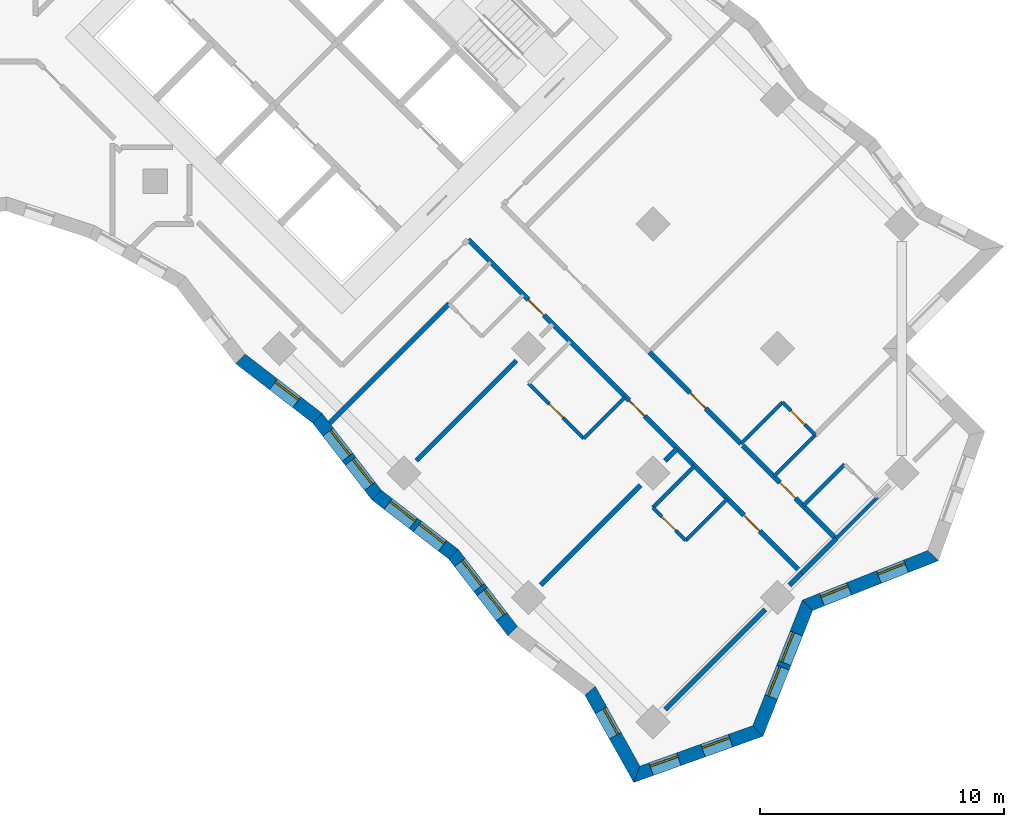
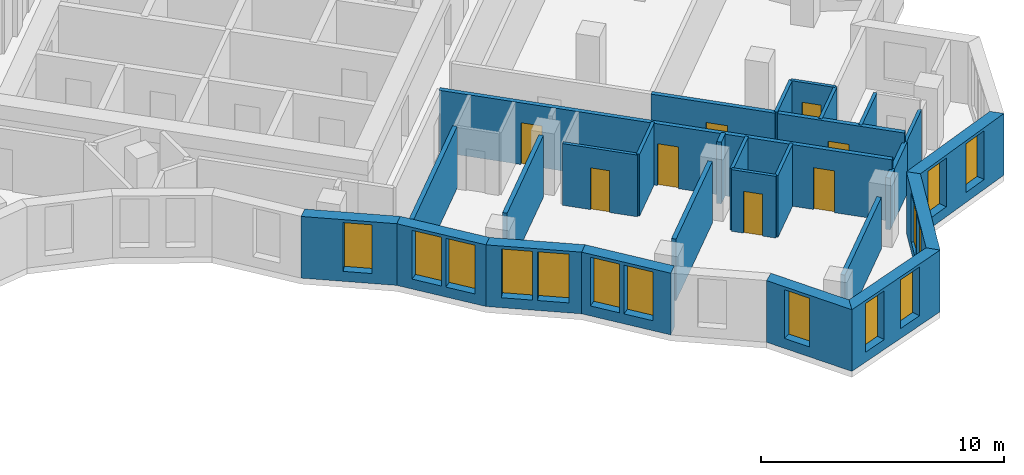
# One storey, part 8 of 13: 28 walls, 14 windows, 8 doors, 22 openings.
"""IFC4 building model written with IfcOpenShell, lengths in metres."""

from ifc_helpers import new_model, si_unit, direction, frame, frame_2d, origin, place, context, subcontext, project, spatial, polyline, rectangle, outline, extrude, material, layer, layer_set, type_object, element, fill, save


model = new_model("IFC4")

# Units and contexts
model_context = context("Model", 3, precision=1e-05, world=origin(), true_north=direction((0.0, 1.0)))
body_context = subcontext(model_context, "Body", "Model", "MODEL_VIEW")
ifc_project = project(units=[si_unit("LENGTHUNIT", "METRE"), si_unit("AREAUNIT", "SQUARE_METRE"), si_unit("VOLUMEUNIT", "CUBIC_METRE"), si_unit("PLANEANGLEUNIT", "RADIAN"), si_unit("MASSUNIT", "GRAM", prefix="KILO")], contexts=[model_context])

# Site, building, storey
site_placement = place(None, origin())
site = spatial("IfcSite", under=ifc_project, at=site_placement, CompositionType="ELEMENT")
building_placement = place(site_placement, origin())
building = spatial("IfcBuilding", under=site, at=building_placement, Name="Windrow Commons", CompositionType="ELEMENT")
storey_placement = place(building_placement, frame((0.0, 0.0, 105.0)))
storey = spatial("IfcBuildingStorey", under=building, at=storey_placement, Name="L28", CompositionType="ELEMENT", Elevation=105.0)

# Wall, openings, windows
ifc_material_1 = material(Name="Brick masonry, red clay brick", Category="masonry")
ifc_layer_1 = layer(ifc_material_1, 0.55)
ifc_layer_set_1 = layer_set([ifc_layer_1], Name="Brick facade wall 550")
wall_type_1 = type_object("IfcWallType", Name="Brick facade wall 550", PredefinedType="SOLIDWALL", material=ifc_layer_set_1)
wall_1_placement = place(storey_placement, frame((98.9047, 18.9423, 0.0), z_axis=(0.0, 0.0, 1.0), x_axis=(0.941452059, 0.337146883, 0.0)))
wall_1 = element("IfcWall", 1, at=wall_1_placement, inside=storey, type_object=wall_type_1, Name="Brick facade wall L28 1", PredefinedType="SOLIDWALL", context=body_context, shape_type="SweptSolid", body=[
    extrude(outline(polyline([(-0.2327, -0.275), (5.3839, -0.275), (5.1349, 0.275), (0.2327, 0.275), (-0.2327, -0.275)])), origin(), (0.0, 0.0, 1.0), 3.1),
])
opening_1_placement = place(wall_1_placement, frame((0.6229, 0.0, 0.5)))
opening_1 = element("IfcOpeningElement", 2, at=opening_1_placement, cuts=wall_1, Name="Opening W7D", PredefinedType="OPENING", context=body_context, shape_type="SweptSolid", body=[
    extrude(rectangle(XDim=1.2, YDim=2.45, at=frame_2d((0.6, 1.225))), frame((0.0, 0.285, 0.0), z_axis=(0.0, -1.0, 0.0), x_axis=(1.0, 0.0, 0.0)), (0.0, 0.0, 1.0), 0.57),
])
opening_2_placement = place(wall_1_placement, frame((2.874, 0.0, 0.5)))
opening_2 = element("IfcOpeningElement", 3, at=opening_2_placement, cuts=wall_1, Name="Opening W7D", PredefinedType="OPENING", context=body_context, shape_type="SweptSolid", body=[
    extrude(rectangle(XDim=1.2, YDim=2.45, at=frame_2d((0.6, 1.225))), frame((0.0, 0.285, 0.0), z_axis=(0.0, -1.0, 0.0), x_axis=(1.0, 0.0, 0.0)), (0.0, 0.0, 1.0), 0.57),
])
ifc_material_2 = material(Name="Clear float glass in anodised aluminium frame", Category="aluminium")
window_type_1 = type_object("IfcWindowType", Name="Window W7 notch 1200x2450", PartitioningType="SINGLE_PANEL", PredefinedType="WINDOW", material=ifc_material_2)
window_1_placement = place(opening_1_placement, origin())
window_1 = element("IfcWindow", 4, at=window_1_placement, inside=storey, type_object=window_type_1, Name="Window L28 1.1", OverallHeight=2.45, OverallWidth=1.2, PartitioningType="SINGLE_PANEL", PredefinedType="WINDOW", context=body_context, shape_type="SweptSolid", body=[
    extrude(rectangle(XDim=1.2, YDim=2.45, at=frame_2d((0.6, 1.225))), frame((0.0, 0.155, 0.0), z_axis=(0.0, -1.0, 0.0), x_axis=(1.0, 0.0, 0.0)), (0.0, 0.0, 1.0), 0.06),
])
fill(opening_1, window_1)
window_2_placement = place(opening_2_placement, origin())
window_2 = element("IfcWindow", 5, at=window_2_placement, inside=storey, type_object=window_type_1, Name="Window L28 1.2", OverallHeight=2.45, OverallWidth=1.2, PartitioningType="SINGLE_PANEL", PredefinedType="WINDOW", context=body_context, shape_type="SweptSolid", body=[
    extrude(rectangle(XDim=1.2, YDim=2.45, at=frame_2d((0.6, 1.225))), frame((0.0, 0.155, 0.0), z_axis=(0.0, -1.0, 0.0), x_axis=(1.0, 0.0, 0.0)), (0.0, 0.0, 1.0), 0.06),
])
fill(opening_2, window_2)

wall_2_placement = place(storey_placement, frame((103.8562, 20.7155, 0.0), z_axis=(0.0, 0.0, 1.0), x_axis=(0.3677360094, 0.9299302272, 0.0)))
wall_2 = element("IfcWall", 6, at=wall_2_placement, inside=storey, type_object=wall_type_1, Name="Brick facade wall L28 2", PredefinedType="SOLIDWALL", context=body_context, shape_type="SweptSolid", body=[
    extrude(outline(polyline([(-0.1245, -0.275), (5.4096, -0.275), (5.6478, 0.275), (0.1245, 0.275), (-0.1245, -0.275)])), origin(), (0.0, 0.0, 1.0), 3.1),
])
opening_3_placement = place(wall_2_placement, frame((1.4867, 0.0, 0.5)))
opening_3 = element("IfcOpeningElement", 7, at=opening_3_placement, cuts=wall_2, Name="Opening W1P", PredefinedType="OPENING", context=body_context, shape_type="SweptSolid", body=[
    extrude(rectangle(XDim=1.3, YDim=2.45, at=frame_2d((0.65, 1.225))), frame((0.0, 0.285, 0.0), z_axis=(0.0, -1.0, 0.0), x_axis=(1.0, 0.0, 0.0)), (0.0, 0.0, 1.0), 0.57),
])
opening_4_placement = place(wall_2_placement, frame((2.9867, 0.0, 0.5)))
opening_4 = element("IfcOpeningElement", 8, at=opening_4_placement, cuts=wall_2, Name="Opening W1P", PredefinedType="OPENING", context=body_context, shape_type="SweptSolid", body=[
    extrude(rectangle(XDim=1.3, YDim=2.45, at=frame_2d((0.65, 1.225))), frame((0.0, 0.285, 0.0), z_axis=(0.0, -1.0, 0.0), x_axis=(1.0, 0.0, 0.0)), (0.0, 0.0, 1.0), 0.57),
])
ifc_material_3 = material(Name="Clear float glass in anodised aluminium frame", Category="aluminium")
window_type_2 = type_object("IfcWindowType", Name="Window W1P pair 1300x2450", PartitioningType="SINGLE_PANEL", PredefinedType="WINDOW", material=ifc_material_3)
window_3_placement = place(opening_3_placement, origin())
window_3 = element("IfcWindow", 9, at=window_3_placement, inside=storey, type_object=window_type_2, Name="Window L28 2.1A", OverallHeight=2.45, OverallWidth=1.3, PartitioningType="SINGLE_PANEL", PredefinedType="WINDOW", context=body_context, shape_type="SweptSolid", body=[
    extrude(rectangle(XDim=1.3, YDim=2.45, at=frame_2d((0.65, 1.225))), frame((0.0, 0.155, 0.0), z_axis=(0.0, -1.0, 0.0), x_axis=(1.0, 0.0, 0.0)), (0.0, 0.0, 1.0), 0.06),
])
fill(opening_3, window_3)
window_4_placement = place(opening_4_placement, origin())
window_4 = element("IfcWindow", 10, at=window_4_placement, inside=storey, type_object=window_type_2, Name="Window L28 2.1B", OverallHeight=2.45, OverallWidth=1.3, PartitioningType="SINGLE_PANEL", PredefinedType="WINDOW", context=body_context, shape_type="SweptSolid", body=[
    extrude(rectangle(XDim=1.3, YDim=2.45, at=frame_2d((0.65, 1.225))), frame((0.0, 0.155, 0.0), z_axis=(0.0, -1.0, 0.0), x_axis=(1.0, 0.0, 0.0)), (0.0, 0.0, 1.0), 0.06),
])
fill(opening_4, window_4)

wall_3_placement = place(storey_placement, frame((105.8893, 25.8568, 0.0), z_axis=(0.0, 0.0, 1.0), x_axis=(0.9299302272, 0.3677360094, 0.0)))
wall_3 = element("IfcWall", 11, at=wall_3_placement, inside=storey, type_object=wall_type_1, Name="Brick facade wall L28 3", PredefinedType="SOLIDWALL", context=body_context, shape_type="SweptSolid", body=[
    extrude(outline(polyline([(0.1191, -0.275), (5.6532, -0.275), (5.4042, 0.275), (-0.1191, 0.275), (0.1191, -0.275)])), origin(), (0.0, 0.0, 1.0), 3.1),
])
opening_5_placement = place(wall_3_placement, frame((0.6349, 0.0, 0.5)))
opening_5 = element("IfcOpeningElement", 12, at=opening_5_placement, cuts=wall_3, Name="Opening W7D", PredefinedType="OPENING", context=body_context, shape_type="SweptSolid", body=[
    extrude(rectangle(XDim=1.2, YDim=2.45, at=frame_2d((0.6, 1.225))), frame((0.0, 0.285, 0.0), z_axis=(0.0, -1.0, 0.0), x_axis=(1.0, 0.0, 0.0)), (0.0, 0.0, 1.0), 0.57),
])
opening_6_placement = place(wall_3_placement, frame((3.137, 0.0, 0.5)))
opening_6 = element("IfcOpeningElement", 13, at=opening_6_placement, cuts=wall_3, Name="Opening W7D", PredefinedType="OPENING", context=body_context, shape_type="SweptSolid", body=[
    extrude(rectangle(XDim=1.2, YDim=2.45, at=frame_2d((0.6, 1.225))), frame((0.0, 0.285, 0.0), z_axis=(0.0, -1.0, 0.0), x_axis=(1.0, 0.0, 0.0)), (0.0, 0.0, 1.0), 0.57),
])
window_5_placement = place(opening_5_placement, origin())
window_5 = element("IfcWindow", 14, at=window_5_placement, inside=storey, type_object=window_type_1, Name="Window L28 3.1", OverallHeight=2.45, OverallWidth=1.2, PartitioningType="SINGLE_PANEL", PredefinedType="WINDOW", context=body_context, shape_type="SweptSolid", body=[
    extrude(rectangle(XDim=1.2, YDim=2.45, at=frame_2d((0.6, 1.225))), frame((0.0, 0.155, 0.0), z_axis=(0.0, -1.0, 0.0), x_axis=(1.0, 0.0, 0.0)), (0.0, 0.0, 1.0), 0.06),
])
fill(opening_5, window_5)
window_6_placement = place(opening_6_placement, origin())
window_6 = element("IfcWindow", 15, at=window_6_placement, inside=storey, type_object=window_type_1, Name="Window L28 3.2", OverallHeight=2.45, OverallWidth=1.2, PartitioningType="SINGLE_PANEL", PredefinedType="WINDOW", context=body_context, shape_type="SweptSolid", body=[
    extrude(rectangle(XDim=1.2, YDim=2.45, at=frame_2d((0.6, 1.225))), frame((0.0, 0.155, 0.0), z_axis=(0.0, -1.0, 0.0), x_axis=(1.0, 0.0, 0.0)), (0.0, 0.0, 1.0), 0.06),
])
fill(opening_6, window_6)

# Wall, opening, window
wall_4_placement = place(storey_placement, frame((82.6864, 35.9376, 0.0), z_axis=(0.0, 0.0, 1.0), x_axis=(0.7923534452, -0.6100623066, 0.0)))
wall_4 = element("IfcWall", 16, at=wall_4_placement, inside=storey, type_object=wall_type_1, Name="Brick facade wall L28 54", PredefinedType="SOLIDWALL", context=body_context, shape_type="SweptSolid", body=[
    extrude(outline(polyline([(-0.0357, -0.275), (3.9365, -0.275), (4.008, 0.275), (0.0357, 0.275), (-0.0357, -0.275)])), origin(), (0.0, 0.0, 1.0), 3.1),
])
opening_7_placement = place(wall_4_placement, frame((1.707, 0.0, 0.5)))
opening_7 = element("IfcOpeningElement", 17, at=opening_7_placement, cuts=wall_4, Name="Opening W7D", PredefinedType="OPENING", context=body_context, shape_type="SweptSolid", body=[
    extrude(rectangle(XDim=1.2, YDim=2.45, at=frame_2d((0.6, 1.225))), frame((0.0, 0.285, 0.0), z_axis=(0.0, -1.0, 0.0), x_axis=(1.0, 0.0, 0.0)), (0.0, 0.0, 1.0), 0.57),
])
window_7_placement = place(opening_7_placement, origin())
window_7 = element("IfcWindow", 18, at=window_7_placement, inside=storey, type_object=window_type_1, Name="Window L28 54.1", OverallHeight=2.45, OverallWidth=1.2, PartitioningType="SINGLE_PANEL", PredefinedType="WINDOW", context=body_context, shape_type="SweptSolid", body=[
    extrude(rectangle(XDim=1.2, YDim=2.45, at=frame_2d((0.6, 1.225))), frame((0.0, 0.155, 0.0), z_axis=(0.0, -1.0, 0.0), x_axis=(1.0, 0.0, 0.0)), (0.0, 0.0, 1.0), 0.06),
])
fill(opening_7, window_7)

# Wall, openings, windows
wall_5_placement = place(storey_placement, frame((85.8338, 33.5143, 0.0), z_axis=(0.0, 0.0, 1.0), x_axis=(0.6100781116, -0.7923412761, 0.0)))
wall_5 = element("IfcWall", 19, at=wall_5_placement, inside=storey, type_object=wall_type_1, Name="Brick facade wall L28 55", PredefinedType="SOLIDWALL", context=body_context, shape_type="SweptSolid", body=[
    extrude(outline(polyline([(0.0357, -0.275), (4.008, -0.275), (3.9365, 0.275), (-0.0357, 0.275), (0.0357, -0.275)])), origin(), (0.0, 0.0, 1.0), 3.1),
])
opening_8_placement = place(wall_5_placement, frame((0.7182, 0.0, 0.5)))
opening_8 = element("IfcOpeningElement", 20, at=opening_8_placement, cuts=wall_5, Name="Opening W1P", PredefinedType="OPENING", context=body_context, shape_type="SweptSolid", body=[
    extrude(rectangle(XDim=1.3, YDim=2.45, at=frame_2d((0.65, 1.225))), frame((0.0, 0.285, 0.0), z_axis=(0.0, -1.0, 0.0), x_axis=(1.0, 0.0, 0.0)), (0.0, 0.0, 1.0), 0.57),
])
opening_9_placement = place(wall_5_placement, frame((2.2182, 0.0, 0.5)))
opening_9 = element("IfcOpeningElement", 21, at=opening_9_placement, cuts=wall_5, Name="Opening W1P", PredefinedType="OPENING", context=body_context, shape_type="SweptSolid", body=[
    extrude(rectangle(XDim=1.3, YDim=2.45, at=frame_2d((0.65, 1.225))), frame((0.0, 0.285, 0.0), z_axis=(0.0, -1.0, 0.0), x_axis=(1.0, 0.0, 0.0)), (0.0, 0.0, 1.0), 0.57),
])
window_8_placement = place(opening_8_placement, origin())
window_8 = element("IfcWindow", 22, at=window_8_placement, inside=storey, type_object=window_type_2, Name="Window L28 55.1A", OverallHeight=2.45, OverallWidth=1.3, PartitioningType="SINGLE_PANEL", PredefinedType="WINDOW", context=body_context, shape_type="SweptSolid", body=[
    extrude(rectangle(XDim=1.3, YDim=2.45, at=frame_2d((0.65, 1.225))), frame((0.0, 0.155, 0.0), z_axis=(0.0, -1.0, 0.0), x_axis=(1.0, 0.0, 0.0)), (0.0, 0.0, 1.0), 0.06),
])
fill(opening_8, window_8)
window_9_placement = place(opening_9_placement, origin())
window_9 = element("IfcWindow", 23, at=window_9_placement, inside=storey, type_object=window_type_2, Name="Window L28 55.1B", OverallHeight=2.45, OverallWidth=1.3, PartitioningType="SINGLE_PANEL", PredefinedType="WINDOW", context=body_context, shape_type="SweptSolid", body=[
    extrude(rectangle(XDim=1.3, YDim=2.45, at=frame_2d((0.65, 1.225))), frame((0.0, 0.155, 0.0), z_axis=(0.0, -1.0, 0.0), x_axis=(1.0, 0.0, 0.0)), (0.0, 0.0, 1.0), 0.06),
])
fill(opening_9, window_9)

wall_6_placement = place(storey_placement, frame((88.2572, 30.3669, 0.0), z_axis=(0.0, 0.0, 1.0), x_axis=(0.7923412761, -0.6100781116, 0.0)))
wall_6 = element("IfcWall", 24, at=wall_6_placement, inside=storey, type_object=wall_type_1, Name="Brick facade wall L28 56", PredefinedType="SOLIDWALL", context=body_context, shape_type="SweptSolid", body=[
    extrude(outline(polyline([(-0.0357, -0.275), (3.9365, -0.275), (4.008, 0.275), (0.0357, 0.275), (-0.0357, -0.275)])), origin(), (0.0, 0.0, 1.0), 3.1),
])
opening_10_placement = place(wall_6_placement, frame((0.604, 0.0, 0.5)))
opening_10 = element("IfcOpeningElement", 25, at=opening_10_placement, cuts=wall_6, Name="Opening W1P", PredefinedType="OPENING", context=body_context, shape_type="SweptSolid", body=[
    extrude(rectangle(XDim=1.3, YDim=2.45, at=frame_2d((0.65, 1.225))), frame((0.0, 0.285, 0.0), z_axis=(0.0, -1.0, 0.0), x_axis=(1.0, 0.0, 0.0)), (0.0, 0.0, 1.0), 0.57),
])
opening_11_placement = place(wall_6_placement, frame((2.104, 0.0, 0.5)))
opening_11 = element("IfcOpeningElement", 26, at=opening_11_placement, cuts=wall_6, Name="Opening W1P", PredefinedType="OPENING", context=body_context, shape_type="SweptSolid", body=[
    extrude(rectangle(XDim=1.3, YDim=2.45, at=frame_2d((0.65, 1.225))), frame((0.0, 0.285, 0.0), z_axis=(0.0, -1.0, 0.0), x_axis=(1.0, 0.0, 0.0)), (0.0, 0.0, 1.0), 0.57),
])
window_10_placement = place(opening_10_placement, origin())
window_10 = element("IfcWindow", 27, at=window_10_placement, inside=storey, type_object=window_type_2, Name="Window L28 56.1A", OverallHeight=2.45, OverallWidth=1.3, PartitioningType="SINGLE_PANEL", PredefinedType="WINDOW", context=body_context, shape_type="SweptSolid", body=[
    extrude(rectangle(XDim=1.3, YDim=2.45, at=frame_2d((0.65, 1.225))), frame((0.0, 0.155, 0.0), z_axis=(0.0, -1.0, 0.0), x_axis=(1.0, 0.0, 0.0)), (0.0, 0.0, 1.0), 0.06),
])
fill(opening_10, window_10)
window_11_placement = place(opening_11_placement, origin())
window_11 = element("IfcWindow", 28, at=window_11_placement, inside=storey, type_object=window_type_2, Name="Window L28 56.1B", OverallHeight=2.45, OverallWidth=1.3, PartitioningType="SINGLE_PANEL", PredefinedType="WINDOW", context=body_context, shape_type="SweptSolid", body=[
    extrude(rectangle(XDim=1.3, YDim=2.45, at=frame_2d((0.65, 1.225))), frame((0.0, 0.155, 0.0), z_axis=(0.0, -1.0, 0.0), x_axis=(1.0, 0.0, 0.0)), (0.0, 0.0, 1.0), 0.06),
])
fill(opening_11, window_11)

wall_7_placement = place(storey_placement, frame((91.4046, 27.9435, 0.0), z_axis=(0.0, 0.0, 1.0), x_axis=(0.6100781116, -0.7923412761, 0.0)))
wall_7 = element("IfcWall", 29, at=wall_7_placement, inside=storey, type_object=wall_type_1, Name="Brick facade wall L28 57", PredefinedType="SOLIDWALL", context=body_context, shape_type="SweptSolid", body=[
    extrude(outline(polyline([(0.0357, -0.275), (4.008, -0.275), (3.9365, 0.275), (-0.0357, 0.275), (0.0357, -0.275)])), origin(), (0.0, 0.0, 1.0), 3.1),
])
opening_12_placement = place(wall_7_placement, frame((0.4231, 0.0, 0.5)))
opening_12 = element("IfcOpeningElement", 30, at=opening_12_placement, cuts=wall_7, Name="Opening W1P", PredefinedType="OPENING", context=body_context, shape_type="SweptSolid", body=[
    extrude(rectangle(XDim=1.3, YDim=2.45, at=frame_2d((0.65, 1.225))), frame((0.0, 0.285, 0.0), z_axis=(0.0, -1.0, 0.0), x_axis=(1.0, 0.0, 0.0)), (0.0, 0.0, 1.0), 0.57),
])
opening_13_placement = place(wall_7_placement, frame((1.9231, 0.0, 0.5)))
opening_13 = element("IfcOpeningElement", 31, at=opening_13_placement, cuts=wall_7, Name="Opening W1P", PredefinedType="OPENING", context=body_context, shape_type="SweptSolid", body=[
    extrude(rectangle(XDim=1.3, YDim=2.45, at=frame_2d((0.65, 1.225))), frame((0.0, 0.285, 0.0), z_axis=(0.0, -1.0, 0.0), x_axis=(1.0, 0.0, 0.0)), (0.0, 0.0, 1.0), 0.57),
])
window_12_placement = place(opening_12_placement, origin())
window_12 = element("IfcWindow", 32, at=window_12_placement, inside=storey, type_object=window_type_2, Name="Window L28 57.1A", OverallHeight=2.45, OverallWidth=1.3, PartitioningType="SINGLE_PANEL", PredefinedType="WINDOW", context=body_context, shape_type="SweptSolid", body=[
    extrude(rectangle(XDim=1.3, YDim=2.45, at=frame_2d((0.65, 1.225))), frame((0.0, 0.155, 0.0), z_axis=(0.0, -1.0, 0.0), x_axis=(1.0, 0.0, 0.0)), (0.0, 0.0, 1.0), 0.06),
])
fill(opening_12, window_12)
window_13_placement = place(opening_13_placement, origin())
window_13 = element("IfcWindow", 33, at=window_13_placement, inside=storey, type_object=window_type_2, Name="Window L28 57.1B", OverallHeight=2.45, OverallWidth=1.3, PartitioningType="SINGLE_PANEL", PredefinedType="WINDOW", context=body_context, shape_type="SweptSolid", body=[
    extrude(rectangle(XDim=1.3, YDim=2.45, at=frame_2d((0.65, 1.225))), frame((0.0, 0.155, 0.0), z_axis=(0.0, -1.0, 0.0), x_axis=(1.0, 0.0, 0.0)), (0.0, 0.0, 1.0), 0.06),
])
fill(opening_13, window_13)

# Wall, opening, window
wall_8_placement = place(storey_placement, frame((96.9917, 22.3602, 0.0), z_axis=(0.0, 0.0, 1.0), x_axis=(0.4884043341, -0.8726174456, 0.0)))
wall_8 = element("IfcWall", 34, at=wall_8_placement, inside=storey, type_object=wall_type_1, Name="Brick facade wall L28 59", PredefinedType="SOLIDWALL", context=body_context, shape_type="SweptSolid", body=[
    extrude(outline(polyline([(0.0564, -0.275), (4.1494, -0.275), (3.6841, 0.275), (-0.0564, 0.275), (0.0564, -0.275)])), origin(), (0.0, 0.0, 1.0), 3.1),
])
opening_14_placement = place(wall_8_placement, frame((0.9125, 0.0, 0.5)))
opening_14 = element("IfcOpeningElement", 35, at=opening_14_placement, cuts=wall_8, Name="Opening W7D", PredefinedType="OPENING", context=body_context, shape_type="SweptSolid", body=[
    extrude(rectangle(XDim=1.2, YDim=2.45, at=frame_2d((0.6, 1.225))), frame((0.0, 0.285, 0.0), z_axis=(0.0, -1.0, 0.0), x_axis=(1.0, 0.0, 0.0)), (0.0, 0.0, 1.0), 0.57),
])
window_14_placement = place(opening_14_placement, origin())
window_14 = element("IfcWindow", 36, at=window_14_placement, inside=storey, type_object=window_type_1, Name="Window L28 59.1", OverallHeight=2.45, OverallWidth=1.2, PartitioningType="SINGLE_PANEL", PredefinedType="WINDOW", context=body_context, shape_type="SweptSolid", body=[
    extrude(rectangle(XDim=1.2, YDim=2.45, at=frame_2d((0.6, 1.225))), frame((0.0, 0.155, 0.0), z_axis=(0.0, -1.0, 0.0), x_axis=(1.0, 0.0, 0.0)), (0.0, 0.0, 1.0), 0.06),
])
fill(opening_14, window_14)

# Wall, openings, doors
ifc_material_4 = material(Name="Blockwork partition", Category="masonry")
ifc_layer_2 = layer(ifc_material_4, 0.2)
ifc_layer_set_2 = layer_set([ifc_layer_2], Name="IW-CORRIDOR-200")
wall_type_2 = type_object("IfcWallType", Name="IW-CORRIDOR-200", PredefinedType="PARTITIONING", material=ifc_layer_set_2)
wall_9_placement = place(storey_placement, frame((92.0035, 40.8195, 0.0), z_axis=(0.0, 0.0, 1.0), x_axis=(0.7071067812, -0.7071067812, 0.0)))
wall_9 = element("IfcWall", 37, at=wall_9_placement, inside=storey, type_object=wall_type_2, Name="W-L28-W002", PredefinedType="PARTITIONING", context=body_context, shape_type="SweptSolid", body=[
    extrude(rectangle(XDim=19.2984, YDim=0.2, at=frame_2d((9.6492, 0.0))), origin(), (0.0, 0.0, 1.0), 3.1),
])
opening_15_placement = place(wall_9_placement, frame((3.4886, 0.0, 0.0)))
opening_15 = element("IfcOpeningElement", 38, at=opening_15_placement, cuts=wall_9, Name="Opening D109S", PredefinedType="OPENING", context=body_context, shape_type="SweptSolid", body=[
    extrude(rectangle(XDim=0.9, YDim=2.1, at=frame_2d((0.45, 1.05))), frame((0.0, 0.11, 0.0), z_axis=(0.0, -1.0, 0.0), x_axis=(1.0, 0.0, 0.0)), (0.0, 0.0, 1.0), 0.22),
])
opening_16_placement = place(wall_9_placement, frame((9.3186, 0.0, 0.0)))
opening_16 = element("IfcOpeningElement", 39, at=opening_16_placement, cuts=wall_9, Name="Opening D109F", PredefinedType="OPENING", context=body_context, shape_type="SweptSolid", body=[
    extrude(rectangle(XDim=0.9, YDim=2.1, at=frame_2d((0.45, 1.05))), frame((0.0, 0.11, 0.0), z_axis=(0.0, -1.0, 0.0), x_axis=(1.0, 0.0, 0.0)), (0.0, 0.0, 1.0), 0.22),
])
opening_17_placement = place(wall_9_placement, frame((15.9611, 0.0, 0.0)))
opening_17 = element("IfcOpeningElement", 40, at=opening_17_placement, cuts=wall_9, Name="Opening D109F", PredefinedType="OPENING", context=body_context, shape_type="SweptSolid", body=[
    extrude(rectangle(XDim=0.9, YDim=2.1, at=frame_2d((0.45, 1.05))), frame((0.0, 0.11, 0.0), z_axis=(0.0, -1.0, 0.0), x_axis=(1.0, 0.0, 0.0)), (0.0, 0.0, 1.0), 0.22),
])
ifc_material_5 = material(Name="Timber door leaf", Category="wood")
door_type_1 = type_object("IfcDoorType", Name="DT-BEDROOM-900", OperationType="SINGLE_SWING_LEFT", PredefinedType="DOOR", material=ifc_material_5)
door_1_placement = place(opening_15_placement, origin())
door_1 = element("IfcDoor", 41, at=door_1_placement, inside=storey, type_object=door_type_1, Name="D-L28-D047", OperationType="SINGLE_SWING_LEFT", OverallHeight=2.1, OverallWidth=0.9, PredefinedType="DOOR", context=body_context, shape_type="SweptSolid", body=[
    extrude(rectangle(XDim=0.9, YDim=2.1, at=frame_2d((0.45, 1.05))), frame((0.0, 0.025, 0.0), z_axis=(0.0, -1.0, 0.0), x_axis=(1.0, 0.0, 0.0)), (0.0, 0.0, 1.0), 0.05),
])
fill(opening_15, door_1)
door_2_placement = place(opening_16_placement, origin())
door_2 = element("IfcDoor", 42, at=door_2_placement, inside=storey, type_object=door_type_1, Name="D-L28-D049", OperationType="SINGLE_SWING_RIGHT", OverallHeight=2.1, OverallWidth=0.9, PredefinedType="DOOR", context=body_context, shape_type="SweptSolid", body=[
    extrude(rectangle(XDim=0.9, YDim=2.1, at=frame_2d((0.45, 1.05))), frame((0.0, 0.025, 0.0), z_axis=(0.0, -1.0, 0.0), x_axis=(1.0, 0.0, 0.0)), (0.0, 0.0, 1.0), 0.05),
])
fill(opening_16, door_2)
door_3_placement = place(opening_17_placement, origin())
door_3 = element("IfcDoor", 43, at=door_3_placement, inside=storey, type_object=door_type_1, Name="D-L28-D051", OperationType="SINGLE_SWING_RIGHT", OverallHeight=2.1, OverallWidth=0.9, PredefinedType="DOOR", context=body_context, shape_type="SweptSolid", body=[
    extrude(rectangle(XDim=0.9, YDim=2.1, at=frame_2d((0.45, 1.05))), frame((0.0, 0.025, 0.0), z_axis=(0.0, -1.0, 0.0), x_axis=(1.0, 0.0, 0.0)), (0.0, 0.0, 1.0), 0.05),
])
fill(opening_17, door_3)

# Wall, opening, door
wall_10_placement = place(storey_placement, frame((103.2386, 32.3986, 0.0), z_axis=(0.0, 0.0, 1.0), x_axis=(0.7071067812, -0.7071067812, 0.0)))
wall_10 = element("IfcWall", 44, at=wall_10_placement, inside=storey, type_object=wall_type_2, Name="W-L28-W035", PredefinedType="PARTITIONING", context=body_context, shape_type="SweptSolid", body=[
    extrude(rectangle(XDim=5.3995, YDim=0.2, at=frame_2d((2.6997, 0.0))), origin(), (0.0, 0.0, 1.0), 3.1),
])
opening_18_placement = place(wall_10_placement, frame((2.1497, 0.0, 0.0)))
opening_18 = element("IfcOpeningElement", 45, at=opening_18_placement, cuts=wall_10, Name="Opening D109S", PredefinedType="OPENING", context=body_context, shape_type="SweptSolid", body=[
    extrude(rectangle(XDim=0.9, YDim=2.1, at=frame_2d((0.45, 1.05))), frame((0.0, 0.11, 0.0), z_axis=(0.0, -1.0, 0.0), x_axis=(1.0, 0.0, 0.0)), (0.0, 0.0, 1.0), 0.22),
])
door_4_placement = place(opening_18_placement, origin())
door_4 = element("IfcDoor", 46, at=door_4_placement, inside=storey, type_object=door_type_1, Name="D-L28-D053", OperationType="SINGLE_SWING_RIGHT", OverallHeight=2.1, OverallWidth=0.9, PredefinedType="DOOR", context=body_context, shape_type="SweptSolid", body=[
    extrude(rectangle(XDim=0.9, YDim=2.1, at=frame_2d((0.45, 1.05))), frame((0.0, 0.025, 0.0), z_axis=(0.0, -1.0, 0.0), x_axis=(1.0, 0.0, 0.0)), (0.0, 0.0, 1.0), 0.05),
])
fill(opening_18, door_4)

wall_11_placement = place(storey_placement, frame((103.1676, 32.4696, 0.0), z_axis=(0.0, 0.0, 1.0), x_axis=(-0.7067858967, 0.7074275201, 0.0)))
wall_11 = element("IfcWall", 47, at=wall_11_placement, inside=storey, type_object=wall_type_2, Name="W-L28-W036", PredefinedType="PARTITIONING", context=body_context, shape_type="SweptSolid", body=[
    extrude(rectangle(XDim=5.2991, YDim=0.2, at=frame_2d((2.6496, 0.0))), origin(), (0.0, 0.0, 1.0), 3.1),
])
opening_19_placement = place(wall_11_placement, frame((2.0433, 0.0, 0.0)))
opening_19 = element("IfcOpeningElement", 48, at=opening_19_placement, cuts=wall_11, Name="Opening D109F", PredefinedType="OPENING", context=body_context, shape_type="SweptSolid", body=[
    extrude(rectangle(XDim=0.9, YDim=2.1, at=frame_2d((0.45, 1.05))), frame((0.0, 0.11, 0.0), z_axis=(0.0, -1.0, 0.0), x_axis=(1.0, 0.0, 0.0)), (0.0, 0.0, 1.0), 0.22),
])
door_5_placement = place(opening_19_placement, origin())
door_5 = element("IfcDoor", 49, at=door_5_placement, inside=storey, type_object=door_type_1, Name="D-L28-D044", OperationType="SINGLE_SWING_RIGHT", OverallHeight=2.1, OverallWidth=0.9, PredefinedType="DOOR", context=body_context, shape_type="SweptSolid", body=[
    extrude(rectangle(XDim=0.9, YDim=2.1, at=frame_2d((0.45, 1.05))), frame((0.0, 0.025, 0.0), z_axis=(0.0, -1.0, 0.0), x_axis=(1.0, 0.0, 0.0)), (0.0, 0.0, 1.0), 0.05),
])
fill(opening_19, door_5)

# Wall
wall_12_placement = place(storey_placement, frame((105.6454, 27.1706, 0.0), z_axis=(0.0, 0.0, 1.0), x_axis=(0.7071067812, 0.7071067812, 0.0)))
element("IfcWall", 50, at=wall_12_placement, inside=storey, type_object=wall_type_2, Name="W-L28-W110", PredefinedType="PARTITIONING", context=body_context, shape_type="SweptSolid", body=[
    extrude(rectangle(XDim=1.9997, YDim=0.2, at=frame_2d((0.9999, 0.0))), origin(), (0.0, 0.0, 1.0), 2.6),
])

# Wall, opening, door
ifc_material_6 = material(Name="Blockwork partition", Category="masonry")
ifc_layer_3 = layer(ifc_material_6, 0.15)
ifc_layer_set_3 = layer_set([ifc_layer_3], Name="IW-ENSUITE-150")
wall_type_3 = type_object("IfcWallType", Name="IW-ENSUITE-150", PredefinedType="PARTITIONING", material=ifc_layer_set_3)
wall_13_placement = place(storey_placement, frame((94.4713, 34.9453, 0.0), z_axis=(0.0, 0.0, 1.0), x_axis=(0.7067942478, -0.7074191764, 0.0)))
wall_13 = element("IfcWall", 51, at=wall_13_placement, inside=storey, type_object=wall_type_3, Name="W-L28-W057", PredefinedType="PARTITIONING", context=body_context, shape_type="SweptSolid", body=[
    extrude(rectangle(XDim=3.2004, YDim=0.15, at=frame_2d((1.6002, 0.0))), origin(), (0.0, 0.0, 1.0), 3.1),
])
opening_20_placement = place(wall_13_placement, frame((1.2061, 0.0, 0.0)))
opening_20 = element("IfcOpeningElement", 52, at=opening_20_placement, cuts=wall_13, Name="Opening D208N", PredefinedType="OPENING", context=body_context, shape_type="SweptSolid", body=[
    extrude(rectangle(XDim=0.8, YDim=2.1, at=frame_2d((0.4, 1.05))), frame((0.0, 0.085, 0.0), z_axis=(0.0, -1.0, 0.0), x_axis=(1.0, 0.0, 0.0)), (0.0, 0.0, 1.0), 0.17),
])
ifc_material_7 = material(Name="Timber door leaf", Category="wood")
door_type_2 = type_object("IfcDoorType", Name="DT-ENSUITE-800", OperationType="SINGLE_SWING_LEFT", PredefinedType="DOOR", material=ifc_material_7)
door_6_placement = place(opening_20_placement, origin())
door_6 = element("IfcDoor", 53, at=door_6_placement, inside=storey, type_object=door_type_2, Name="D-L28-D050", OperationType="SINGLE_SWING_RIGHT", OverallHeight=2.1, OverallWidth=0.8, PredefinedType="DOOR", context=body_context, shape_type="SweptSolid", body=[
    extrude(rectangle(XDim=0.8, YDim=2.1, at=frame_2d((0.4, 1.05))), frame((0.0, 0.025, 0.0), z_axis=(0.0, -1.0, 0.0), x_axis=(1.0, 0.0, 0.0)), (0.0, 0.0, 1.0), 0.05),
])
fill(opening_20, door_6)

# Walls
for number, where, z_axis, x_axis, name in (
    (54, (96.7349, 32.6851, 0.0), (0.0, 0.0, 1.0), (0.7071067812, 0.7071067812, 0.0), "W-L28-W066"),
    (55, (103.1693, 32.4727, 0.0), (0.0, 0.0, 1.0), (0.7071067812, 0.7071067812, 0.0), "W-L28-W067"),
    (56, (99.5633, 29.8567, 0.0), (0.0, 0.0, 1.0), (0.7071067812, 0.7071067812, 0.0), "W-L28-W068"),
    (57, (100.9068, 28.5132, 0.0), (0.0, 0.0, 1.0), (0.7071067812, 0.7071067812, 0.0), "W-L28-W069"),
):
    element("IfcWall", number, at=place(storey_placement, frame(where, z_axis=z_axis, x_axis=x_axis)), inside=storey, type_object=wall_type_3, Name=name, PredefinedType="PARTITIONING", context=body_context, shape_type="SweptSolid", body=[
        extrude(rectangle(XDim=2.4013, YDim=0.15, at=frame_2d((1.2006, 0.0))), origin(), (0.0, 0.0, 1.0), 3.1),
    ])
for number, where, z_axis, x_axis, name in (
    (58, (104.5113, 31.1327, 0.0), (0.0, 0.0, 1.0), (0.7075233388, 0.706689978, 0.0), "W-L28-W092"),
    (59, (105.7134, 29.9306, 0.0), (0.0, 0.0, 1.0), (0.7075233388, 0.706689978, 0.0), "W-L28-W093"),
):
    element("IfcWall", number, at=place(storey_placement, frame(where, z_axis=z_axis, x_axis=x_axis)), inside=storey, type_object=wall_type_3, Name=name, PredefinedType="PARTITIONING", context=body_context, shape_type="SweptSolid", body=[
        extrude(rectangle(XDim=2.3999, YDim=0.15, at=frame_2d((1.2, 0.0))), origin(), (0.0, 0.0, 1.0), 3.1),
    ])
wall_14_placement = place(storey_placement, frame((107.0569, 28.5871, 0.0), z_axis=(0.0, 0.0, 1.0), x_axis=(0.7075233388, 0.706689978, 0.0)))
element("IfcWall", 60, at=wall_14_placement, inside=storey, type_object=wall_type_3, Name="W-L28-W094", PredefinedType="PARTITIONING", context=body_context, shape_type="SweptSolid", body=[
    extrude(rectangle(XDim=2.3999, YDim=0.15, at=frame_2d((1.2, 0.0))), origin(), (0.0, 0.0, 1.0), 2.6),
])

# Wall, opening, door
wall_15_placement = place(storey_placement, frame((99.5613, 29.8533, 0.0), z_axis=(0.0, 0.0, 1.0), x_axis=(0.7071067812, -0.7071067812, 0.0)))
wall_15 = element("IfcWall", 61, at=wall_15_placement, inside=storey, type_object=wall_type_3, Name="W-L28-W115", PredefinedType="PARTITIONING", context=body_context, shape_type="SweptSolid", body=[
    extrude(rectangle(XDim=1.9007, YDim=0.15, at=frame_2d((0.9504, 0.0))), origin(), (0.0, 0.0, 1.0), 3.1),
])
opening_21_placement = place(wall_15_placement, frame((0.5195, 0.0, 0.0)))
opening_21 = element("IfcOpeningElement", 62, at=opening_21_placement, cuts=wall_15, Name="Opening D208N", PredefinedType="OPENING", context=body_context, shape_type="SweptSolid", body=[
    extrude(rectangle(XDim=0.8, YDim=2.1, at=frame_2d((0.4, 1.05))), frame((0.0, 0.085, 0.0), z_axis=(0.0, -1.0, 0.0), x_axis=(1.0, 0.0, 0.0)), (0.0, 0.0, 1.0), 0.17),
])
door_7_placement = place(opening_21_placement, origin())
door_7 = element("IfcDoor", 63, at=door_7_placement, inside=storey, type_object=door_type_2, Name="D-L28-D052", OperationType="SINGLE_SWING_RIGHT", OverallHeight=2.1, OverallWidth=0.8, PredefinedType="DOOR", context=body_context, shape_type="SweptSolid", body=[
    extrude(rectangle(XDim=0.8, YDim=2.1, at=frame_2d((0.4, 1.05))), frame((0.0, 0.025, 0.0), z_axis=(0.0, -1.0, 0.0), x_axis=(1.0, 0.0, 0.0)), (0.0, 0.0, 1.0), 0.05),
])
fill(opening_21, door_7)

wall_16_placement = place(storey_placement, frame((104.8647, 34.1667, 0.0), z_axis=(0.0, 0.0, 1.0), x_axis=(0.7071067812, -0.7071067812, 0.0)))
wall_16 = element("IfcWall", 64, at=wall_16_placement, inside=storey, type_object=wall_type_3, Name="W-L28-W117", PredefinedType="PARTITIONING", context=body_context, shape_type="SweptSolid", body=[
    extrude(rectangle(XDim=1.9007, YDim=0.15, at=frame_2d((0.9504, 0.0))), origin(), (0.0, 0.0, 1.0), 3.1),
])
opening_22_placement = place(wall_16_placement, frame((0.4932, 0.0, 0.0)))
opening_22 = element("IfcOpeningElement", 65, at=opening_22_placement, cuts=wall_16, Name="Opening D208N", PredefinedType="OPENING", context=body_context, shape_type="SweptSolid", body=[
    extrude(rectangle(XDim=0.8, YDim=2.1, at=frame_2d((0.4, 1.05))), frame((0.0, 0.085, 0.0), z_axis=(0.0, -1.0, 0.0), x_axis=(1.0, 0.0, 0.0)), (0.0, 0.0, 1.0), 0.17),
])
door_8_placement = place(opening_22_placement, origin())
door_8 = element("IfcDoor", 66, at=door_8_placement, inside=storey, type_object=door_type_2, Name="D-L28-D045", OperationType="SINGLE_SWING_RIGHT", OverallHeight=2.1, OverallWidth=0.8, PredefinedType="DOOR", context=body_context, shape_type="SweptSolid", body=[
    extrude(rectangle(XDim=0.8, YDim=2.1, at=frame_2d((0.4, 1.05))), frame((0.0, 0.025, 0.0), z_axis=(0.0, -1.0, 0.0), x_axis=(1.0, 0.0, 0.0)), (0.0, 0.0, 1.0), 0.05),
])
fill(opening_22, door_8)

# Walls
ifc_material_8 = material(Name="Blockwork partition", Category="masonry")
ifc_layer_4 = layer(ifc_material_8, 0.2)
ifc_layer_set_4 = layer_set([ifc_layer_4], Name="IW-PARTY-200")
wall_type_4 = type_object("IfcWallType", Name="IW-PARTY-200", PredefinedType="PARTITIONING", material=ifc_layer_set_4)
wall_17_placement = place(storey_placement, frame((86.3356, 33.3134, 0.0), z_axis=(0.0, 0.0, 1.0), x_axis=(0.7069620306, 0.7072515022, 0.0)))
element("IfcWall", 67, at=wall_17_placement, inside=storey, type_object=wall_type_4, Name="W-L28-W022", PredefinedType="PARTITIONING", context=body_context, shape_type="SweptSolid", body=[
    extrude(rectangle(XDim=6.9091, YDim=0.2, at=frame_2d((3.4545, 0.0))), origin(), (0.0, 0.0, 1.0), 3.1),
])
wall_18_placement = place(storey_placement, frame((89.881, 31.771, 0.0), z_axis=(0.0, 0.0, 1.0), x_axis=(0.7071067812, 0.7071067812, 0.0)))
element("IfcWall", 68, at=wall_18_placement, inside=storey, type_object=wall_type_4, Name="W-L28-W030", PredefinedType="PARTITIONING", context=body_context, shape_type="SweptSolid", body=[
    extrude(rectangle(XDim=5.787, YDim=0.2, at=frame_2d((2.8935, 0.0))), origin(), (0.0, 0.0, 1.0), 3.1),
])
wall_19_placement = place(storey_placement, frame((100.0634, 21.5886, 0.0), z_axis=(0.0, 0.0, 1.0), x_axis=(0.7071067812, 0.7071067812, 0.0)))
element("IfcWall", 69, at=wall_19_placement, inside=storey, type_object=wall_type_4, Name="W-L28-W031", PredefinedType="PARTITIONING", context=body_context, shape_type="SweptSolid", body=[
    extrude(rectangle(XDim=5.787, YDim=0.2, at=frame_2d((2.8935, 0.0))), origin(), (0.0, 0.0, 1.0), 2.6),
])
wall_20_placement = place(storey_placement, frame((94.9732, 26.6808, 0.0), z_axis=(0.0, 0.0, 1.0), x_axis=(0.7071067812, 0.7071067812, 0.0)))
element("IfcWall", 70, at=wall_20_placement, inside=storey, type_object=wall_type_4, Name="W-L28-W032", PredefinedType="PARTITIONING", context=body_context, shape_type="SweptSolid", body=[
    extrude(rectangle(XDim=5.7841, YDim=0.2, at=frame_2d((2.892, 0.0))), origin(), (0.0, 0.0, 1.0), 3.1),
])
wall_21_placement = place(storey_placement, frame((105.1554, 26.6806, 0.0), z_axis=(0.0, 0.0, 1.0), x_axis=(0.7071067812, 0.7071067812, 0.0)))
element("IfcWall", 71, at=wall_21_placement, inside=storey, type_object=wall_type_4, Name="W-L28-W145", PredefinedType="PARTITIONING", context=body_context, shape_type="SweptSolid", body=[
    extrude(rectangle(XDim=0.693, YDim=0.2, at=frame_2d((0.3465, 0.0))), origin(), (0.0, 0.0, 1.0), 2.6),
])
wall_22_placement = place(storey_placement, frame((100.0632, 31.7708, 0.0), z_axis=(0.0, 0.0, 1.0), x_axis=(0.7071067812, 0.7071067812, 0.0)))
element("IfcWall", 72, at=wall_22_placement, inside=storey, type_object=wall_type_4, Name="W-L28-W148", PredefinedType="PARTITIONING", context=body_context, shape_type="SweptSolid", body=[
    extrude(rectangle(XDim=0.693, YDim=0.2, at=frame_2d((0.3465, 0.0))), origin(), (0.0, 0.0, 1.0), 3.1),
])

save(model, "model.ifc")
